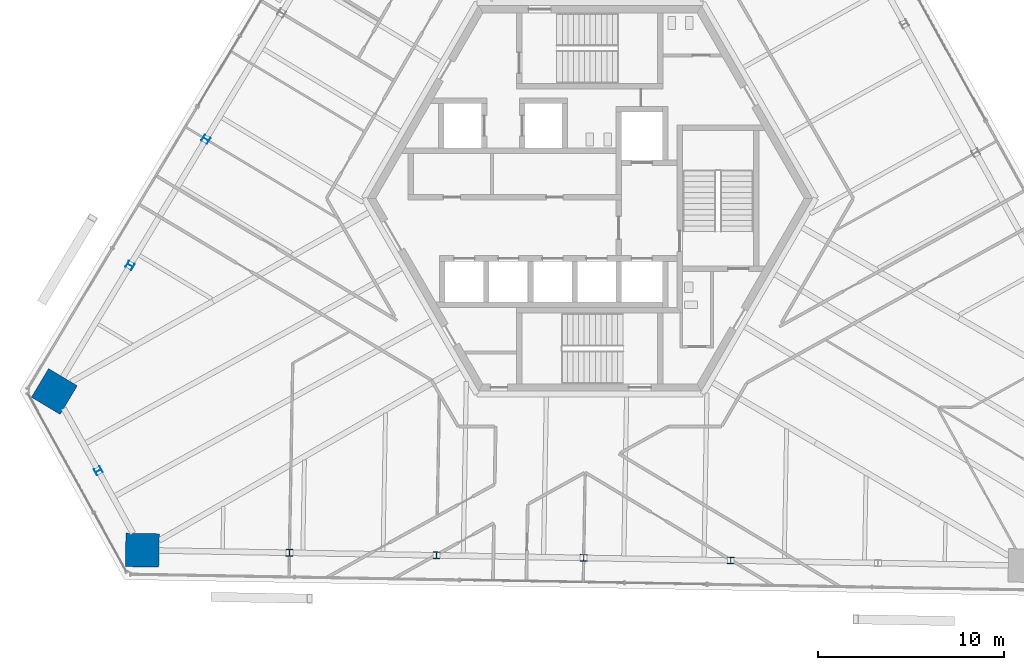
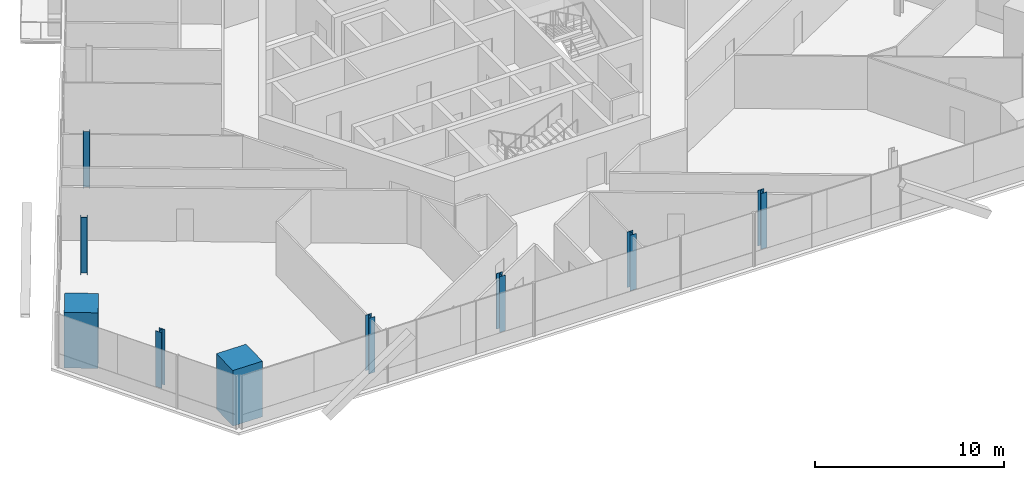
# One storey, part 1 of 19: 9 columns.
"""IFC4 building model written with IfcOpenShell, lengths in metres."""

import ifcopenshell
import ifcopenshell.guid

model = None  # the IFC model being written
_history = None  # IfcOwnerHistory: only IFC2X3 demands one
_inside = {}  # id of a spatial element -> (the spatial element, [elements in it])
_under = {}  # id of a project, library or spatial element -> (it, [spatial elements below it])
_declared = {}  # id of a project -> (the project, [libraries it declares])
_typed = {}  # id of a type object -> (the type object, [elements of that type])
_made_of = {}  # id of a material, layer set ... -> (it, [elements and type objects made of it])


def new_model(schema):
    """Start an empty IFC model of exactly this schema.

    Asked for "IFC4X3", IfcOpenShell would pick the latest addendum, in which some entities
    have other attributes; the version numbers below select the first issue.
    IFC2X3 requires an IfcOwnerHistory on every rooted entity: one is made here for all.
    """
    global model, _history
    if schema == "IFC4X3":
        model = ifcopenshell.file(schema_version=(4, 3, 0, 0))
    else:
        model = ifcopenshell.file(schema=schema)
    _inside.clear()
    _under.clear()
    _declared.clear()
    _typed.clear()
    _made_of.clear()
    _history = None
    if model.schema == "IFC2X3":
        org = make("IfcOrganization", Name="unknown")
        user = make(
            "IfcPersonAndOrganization",
            ThePerson=make("IfcPerson", FamilyName="unknown"),
            TheOrganization=org,
        )
        app = make(
            "IfcApplication",
            ApplicationDeveloper=org,
            Version="unknown",
            ApplicationFullName="unknown",
            ApplicationIdentifier="unknown",
        )
        _history = make(
            "IfcOwnerHistory",
            OwningUser=user,
            OwningApplication=app,
            ChangeAction="ADDED",
            CreationDate=0,
        )
    return model


def make(cls, **values):
    """One entity of the class cls with the attributes given. An attribute that is None is left unset."""
    return model.create_entity(
        cls, **{name: value for name, value in values.items() if value is not None}
    )


def rooted(cls, **values):
    """An entity with a GlobalId (a new one), such as an element, a storey or a relation."""
    return make(cls, GlobalId=ifcopenshell.guid.new(), OwnerHistory=_history, **values)


def si_unit(unit_type, name, prefix=None):
    """IfcSIUnit, for example si_unit("LENGTHUNIT", "METRE", prefix="MILLI")."""
    return make("IfcSIUnit", UnitType=unit_type, Prefix=prefix, Name=name)


def assignment(units):
    """IfcUnitAssignment: the units of a project."""
    return None if units is None else make("IfcUnitAssignment", Units=units)


def point(xyz):
    """IfcCartesianPoint."""
    return None if xyz is None else make("IfcCartesianPoint", Coordinates=xyz)


def direction(xyz):
    """IfcDirection."""
    return None if xyz is None else make("IfcDirection", DirectionRatios=xyz)


def frame(location, z_axis=None, x_axis=None):
    """IfcAxis2Placement3D, a coordinate frame: its origin and axes. An axis left out is left unset."""
    return make(
        "IfcAxis2Placement3D",
        Location=point(location),
        Axis=direction(z_axis),
        RefDirection=direction(x_axis),
    )


def frame_2d(location, x_axis=None):
    """IfcAxis2Placement2D, a coordinate frame in the plane: its origin and x axis."""
    return make(
        "IfcAxis2Placement2D", Location=point(location), RefDirection=direction(x_axis)
    )


def origin():
    """The frame at (0, 0, 0) with its axes left unset."""
    return frame((0.0, 0.0, 0.0))


def origin_2d():
    """The frame at (0, 0) in the plane with its x axis left unset."""
    return frame_2d((0.0, 0.0))


def place(relative_to, where):
    """IfcLocalPlacement: puts the frame where relative to a parent placement (None: the world)."""
    return make(
        "IfcLocalPlacement", PlacementRelTo=relative_to, RelativePlacement=where
    )


def context(
    kind, dimensions, precision=None, world=None, true_north=None, identifier=None
):
    """IfcGeometricRepresentationContext, for example the 3D "Model" context."""
    return make(
        "IfcGeometricRepresentationContext",
        ContextIdentifier=identifier,
        ContextType=kind,
        CoordinateSpaceDimension=dimensions,
        Precision=precision,
        WorldCoordinateSystem=world,
        TrueNorth=true_north,
    )


def subcontext(parent, identifier, kind, view, scale=None):
    """IfcGeometricRepresentationSubContext, for example "Body" below "Model"."""
    return make(
        "IfcGeometricRepresentationSubContext",
        ContextIdentifier=identifier,
        ContextType=kind,
        ParentContext=parent,
        TargetScale=scale,
        TargetView=view,
    )


def project(units=None, contexts=None):
    """IfcProject with its units and contexts."""
    return rooted(
        "IfcProject",
        Name="project",
        RepresentationContexts=contexts,
        UnitsInContext=assignment(units),
    )


def spatial(cls, under=None, at=None, **own):
    """A site, building, storey or space (cls), placed at a placement, below another one or the project."""
    s = rooted(cls, ObjectPlacement=at, **own)
    if under is not None:
        _under.setdefault(under.id(), (under, []))[1].append(s)
    return s


def profile(cls, at=None, kind="AREA", **sizes):
    """A parametric profile (cls). Its sizes go by their IFC names, for example OverallWidth=200.0."""
    return make(cls, ProfileType=kind, Position=at, **sizes)


def rectangle(**sizes):
    """IfcRectangleProfileDef."""
    return profile("IfcRectangleProfileDef", **sizes)


def i_section(**sizes):
    """IfcIShapeProfileDef."""
    return profile("IfcIShapeProfileDef", **sizes)


def extrude(swept, where, along, depth):
    """IfcExtrudedAreaSolid: the profile swept, set in the frame where, extruded along a direction by depth."""
    return make(
        "IfcExtrudedAreaSolid",
        SweptArea=swept,
        Position=where,
        ExtrudedDirection=direction(along),
        Depth=depth,
    )


def shape(context_of_items, identifier, shape_type, items):
    """IfcShapeRepresentation: the items that make up one representation, for example the "Body"."""
    return make(
        "IfcShapeRepresentation",
        ContextOfItems=context_of_items,
        RepresentationIdentifier=identifier,
        RepresentationType=shape_type,
        Items=items,
    )


def source(mapping_origin, context_of_items, identifier, shape_type, items):
    """IfcRepresentationMap: a shape defined once, which mapped items show again and again."""
    return make(
        "IfcRepresentationMap",
        MappingOrigin=mapping_origin,
        MappedRepresentation=shape(context_of_items, identifier, shape_type, items),
    )


def transform(
    local_origin,
    x_axis=None,
    y_axis=None,
    z_axis=None,
    scale=None,
    scale2=None,
    scale3=None,
    uniform=True,
):
    """IfcCartesianTransformationOperator3D, or its non-uniform kind. x_axis, y_axis, z_axis: its Axis1, 2, 3."""
    if uniform:
        return make(
            "IfcCartesianTransformationOperator3D",
            Axis1=direction(x_axis),
            Axis2=direction(y_axis),
            LocalOrigin=point(local_origin),
            Scale=scale,
            Axis3=direction(z_axis),
        )
    return make(
        "IfcCartesianTransformationOperator3DnonUniform",
        Axis1=direction(x_axis),
        Axis2=direction(y_axis),
        LocalOrigin=point(local_origin),
        Scale=scale,
        Axis3=direction(z_axis),
        Scale2=scale2,
        Scale3=scale3,
    )


def mapped(mapping_source, mapping_target):
    """IfcMappedItem: shows the shape of a source again, moved by a transform."""
    return make(
        "IfcMappedItem", MappingSource=mapping_source, MappingTarget=mapping_target
    )


def material(Name=None, Category=None):
    """IfcMaterial."""
    return make("IfcMaterial", Name=Name, Category=Category)


def material_profile(
    of_material, cross_section, Name=None, Category=None, Priority=None
):
    """IfcMaterialProfile: a cross section and its material."""
    return make(
        "IfcMaterialProfile",
        Name=Name,
        Material=of_material,
        Profile=cross_section,
        Priority=Priority,
        Category=Category,
    )


def profile_set(profiles, Name=None, composite=None):
    """IfcMaterialProfileSet."""
    return make(
        "IfcMaterialProfileSet",
        Name=Name,
        MaterialProfiles=profiles,
        CompositeProfile=composite,
    )


def made_of(thing, what):
    """Note that an element or type object is made of a material, layer set ...; save() writes the relation."""
    if what is not None:
        _made_of.setdefault(what.id(), (what, []))[1].append(thing)
    return thing


def type_object(cls, material=None, **own):
    """A type object (cls), such as IfcWallType, which elements share."""
    return made_of(rooted(cls, **own), material)


def element(
    cls,
    number,
    at=None,
    inside=None,
    cuts=None,
    type_object=None,
    material=None,
    context=None,
    identifier="Body",
    shape_type=None,
    held_by="IfcProductDefinitionShape",
    body=None,
    shapes=None,
    **own,
):
    """One element of the class cls, such as IfcWall. Its Tag is "e" and its number.

    at: its placement. inside: the storey or other place that contains it. cuts: it is an
    opening in that element (IfcRelVoidsElement). A single representation is given by context,
    identifier, shape_type and body (its items); several are given by shapes. held_by: the class
    of the entity that holds the representations. save() writes the other relations.
    """
    e = rooted(cls, Tag="e%d" % number, ObjectPlacement=at, **own)
    if body is not None:
        shapes = [shape(context, identifier, shape_type, body)]
    if shapes is not None:
        e.Representation = make(held_by, Representations=shapes)
    if inside is not None:
        _inside.setdefault(inside.id(), (inside, []))[1].append(e)
    if cuts is not None:
        rooted(
            "IfcRelVoidsElement", RelatingBuildingElement=cuts, RelatedOpeningElement=e
        )
    if type_object is not None:
        _typed.setdefault(type_object.id(), (type_object, []))[1].append(e)
    return made_of(e, material)


def aggregate(whole, parts):
    """IfcRelAggregates: a whole, such as a stair, and the parts it consists of."""
    return rooted("IfcRelAggregates", RelatingObject=whole, RelatedObjects=parts)


def save(model, path):
    """Write the relations noted so far, then the file.

    IfcRelAggregates (storeys below a building ...), IfcRelContainedInSpatialStructure (elements
    in a storey), IfcRelDefinesByType, IfcRelAssociatesMaterial and IfcRelDeclares: one each for
    every whole, place, type object, material and project.
    """
    for whole, parts in _under.values():
        aggregate(whole, parts)
    for where, things in _inside.values():
        rooted(
            "IfcRelContainedInSpatialStructure",
            RelatedElements=things,
            RelatingStructure=where,
        )
    for kind, things in _typed.values():
        rooted("IfcRelDefinesByType", RelatedObjects=things, RelatingType=kind)
    for what, things in _made_of.values():
        rooted("IfcRelAssociatesMaterial", RelatedObjects=things, RelatingMaterial=what)
    for by, libraries in _declared.values():
        rooted("IfcRelDeclares", RelatingContext=by, RelatedDefinitions=libraries)
    model.write(path)


model = new_model("IFC4")

# Units and contexts
model_context = context("Model", 3, precision=1e-05, world=origin(), true_north=direction((0.0, 1.0)))
body_context = subcontext(model_context, "Body", "Model", "MODEL_VIEW")
ifc_project = project(units=[si_unit("LENGTHUNIT", "METRE"), si_unit("AREAUNIT", "SQUARE_METRE"), si_unit("VOLUMEUNIT", "CUBIC_METRE"), si_unit("PLANEANGLEUNIT", "RADIAN"), si_unit("MASSUNIT", "GRAM", prefix="KILO")], contexts=[model_context])

# Site, building, storey
site_placement = place(None, origin())
site = spatial("IfcSite", under=ifc_project, at=site_placement, CompositionType="ELEMENT")
building_placement = place(site_placement, origin())
building = spatial("IfcBuilding", under=site, at=building_placement, Name="Triune Harvest Tower", CompositionType="ELEMENT")
storey_placement = place(building_placement, frame((0.0, 0.0, 183.5)))
storey = spatial("IfcBuildingStorey", under=building, at=storey_placement, Name="L47", CompositionType="ELEMENT", Elevation=183.5)

# Columns
ifc_material_1 = material(Name="Concrete 70 MPa", Category="concrete")
ifc_material_profile_1 = material_profile(ifc_material_1, rectangle(XDim=1.800048828125, YDim=1.800048828125, at=origin_2d()), Name="Composite 1800x1800")
ifc_profile_set_1 = profile_set([ifc_material_profile_1], Name="Concrete 70 MPa")
column_type_1 = type_object("IfcColumnType", Name="MC-5 Mega column Composite 1800x1800", PredefinedType="COLUMN", material=ifc_profile_set_1)
shared_shape_1 = source(origin(), body_context, "Body", "SweptSolid", [
    extrude(rectangle(XDim=1.800048828125, YDim=1.800048828125, at=origin_2d()), origin(), (0.0, 0.0, 1.0), 3.60009765625),
])
for number, where, z_axis, x_axis, name in (
    (1, (-28.85595703125, -10.406005859375, 0.0), (0.0, 0.0, 1.0), (-0.51503657887, -0.857168199612, 0.0), "col/L47/M14"),
    (2, (-24.1162109375, -18.956787109375, 0.0), (0.0, 0.0, 1.0), (0.999847695156, -0.017452406437, 0.0), "col/L47/M16"),
):
    element("IfcColumn", number, at=place(storey_placement, frame(where, z_axis=z_axis, x_axis=x_axis)), inside=storey, type_object=column_type_1, Name=name, PredefinedType="COLUMN", context=body_context, shape_type="MappedRepresentation", body=[
        mapped(shared_shape_1, transform((0.0, 0.0, 0.0), scale=1.0)),
    ])
ifc_material_2 = material(Name="Steel ASTM A992 Gr 50", Category="steel")
ifc_material_profile_2 = material_profile(ifc_material_2, i_section(OverallWidth=0.370849609375, OverallDepth=0.36328125, WebThickness=0.013427734375, FlangeThickness=0.021728515625, at=origin_2d()), Name="W14x109")
ifc_profile_set_2 = profile_set([ifc_material_profile_2], Name="Steel ASTM A992 Gr 50")
column_type_2 = type_object("IfcColumnType", Name="PC-5 Perimeter column W14x109", PredefinedType="COLUMN", material=ifc_profile_set_2)
shared_shape_2 = source(origin(), body_context, "Body", "SweptSolid", [
    extrude(i_section(OverallWidth=0.370849609375, OverallDepth=0.36328125, WebThickness=0.013427734375, FlangeThickness=0.021728515625, at=origin_2d()), origin(), (0.0, 0.0, 1.0), 3.60009765625),
])
for number, where, z_axis, x_axis, name in (
    (3, (-20.6904296875, 3.183837890625, 0.0), (0.0, 0.0, 1.0), (-0.51503657887, -0.857168199612, 0.0), "col/L47/P12"),
    (4, (-24.773193359375, -3.611083984375, 0.0), (0.0, 0.0, 1.0), (-0.51503657887, -0.857168199612, 0.0), "col/L47/P13"),
    (5, (-26.486083984375, -14.681396484375, 0.0), (0.0, 0.0, 1.0), (0.484808093746, -0.87462055329, 0.0), "col/L47/P15"),
    (6, (-16.190185546875, -19.09521484375, 0.0), (0.0, 0.0, 1.0), (0.999847695156, -0.017452406437, 0.0), "col/L47/P17"),
    (7, (-8.26416015625, -19.233642578125, 0.0), (0.0, 0.0, 1.0), (0.999847695156, -0.017452406437, 0.0), "col/L47/P18"),
    (8, (-0.338134765625, -19.3720703125, 0.0), (0.0, 0.0, 1.0), (0.999847695156, -0.017452406437, 0.0), "col/L47/P19"),
    (9, (7.587890625, -19.510498046875, 0.0), (0.0, 0.0, 1.0), (0.999847695156, -0.017452406437, 0.0), "col/L47/P20"),
):
    element("IfcColumn", number, at=place(storey_placement, frame(where, z_axis=z_axis, x_axis=x_axis)), inside=storey, type_object=column_type_2, Name=name, PredefinedType="COLUMN", context=body_context, shape_type="MappedRepresentation", body=[
        mapped(shared_shape_2, transform((0.0, 0.0, 0.0), scale=1.0)),
    ])

save(model, "model.ifc")
